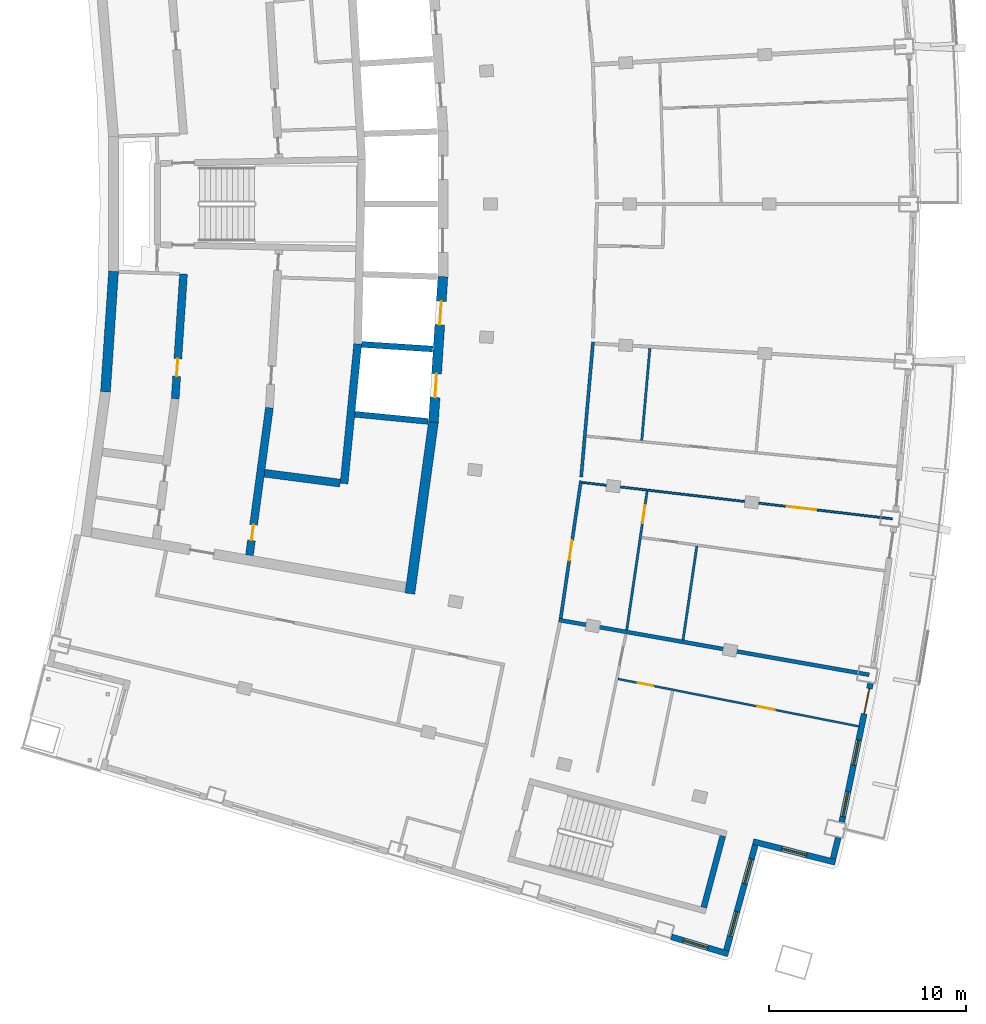
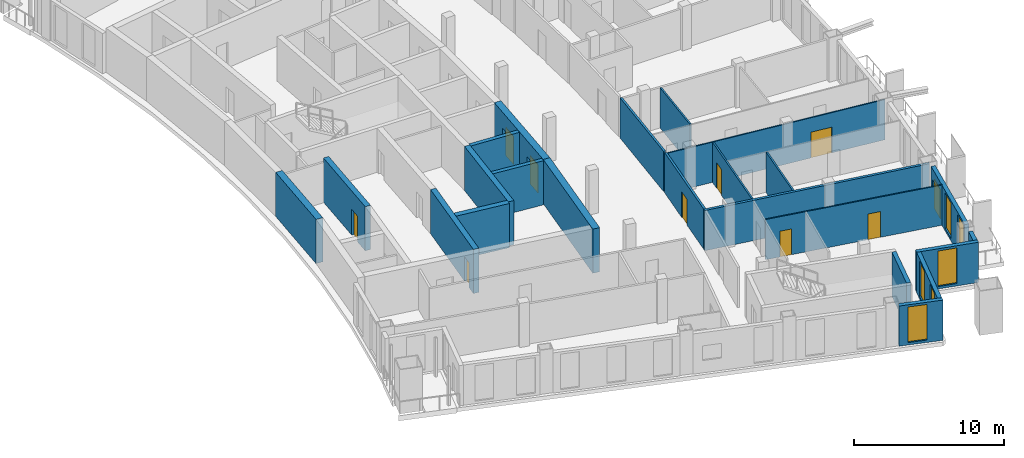
# One storey, part 8 of 15: 23 walls, 10 doors, 6 windows, 16 openings.
"""IFC4 building model written with IfcOpenShell, lengths in metres."""

from ifc_helpers import new_model, si_unit, direction, frame, frame_2d, origin, place, context, subcontext, project, spatial, rectangle, extrude, material, layer, layer_set, type_object, element, fill, save


model = new_model("IFC4")

# Units and contexts
model_context = context("Model", 3, precision=1e-05, world=origin(), true_north=direction((0.0, 1.0)))
body_context = subcontext(model_context, "Body", "Model", "MODEL_VIEW")
ifc_project = project(units=[si_unit("LENGTHUNIT", "METRE"), si_unit("AREAUNIT", "SQUARE_METRE"), si_unit("VOLUMEUNIT", "CUBIC_METRE"), si_unit("PLANEANGLEUNIT", "RADIAN"), si_unit("MASSUNIT", "GRAM", prefix="KILO")], contexts=[model_context])

# Site, building, storey
site_placement = place(None, origin())
site = spatial("IfcSite", under=ifc_project, at=site_placement, CompositionType="ELEMENT")
building_placement = place(site_placement, origin())
building = spatial("IfcBuilding", under=site, at=building_placement, Name="Alderwake Tower", CompositionType="ELEMENT")
storey_placement = place(building_placement, frame((0.0, 0.0, 249.199951171875)))
storey = spatial("IfcBuildingStorey", under=building, at=storey_placement, Name="L61", CompositionType="ELEMENT", Elevation=249.199951171875)

# Walls
ifc_material_1 = material(Name="Concrete C70/85", Category="concrete")
ifc_layer_1 = layer(ifc_material_1, 0.5)
ifc_layer_set_1 = layer_set([ifc_layer_1], Name="Core wall outer 500 C70-85")
wall_type_1 = type_object("IfcWallType", Name="Core wall outer 500 C70-85", PredefinedType="SHEAR", material=ifc_layer_set_1)
wall_1_placement = place(storey_placement, frame((16.280517578125, 51.4765625, 0.0), z_axis=(0.0, 0.0, 1.0), x_axis=(0.066863022947, 0.997762164127, 0.0)))
element("IfcWall", 1, at=wall_1_placement, inside=storey, type_object=wall_type_1, Name="Core wall CW.027", PredefinedType="SHEAR", context=body_context, shape_type="SweptSolid", body=[
    extrude(rectangle(XDim=6.123291015625, YDim=0.5, at=frame_2d((3.0615234375, 0.0))), origin(), (0.0, 0.0, 1.0), 3.60009765625),
])
wall_2_placement = place(storey_placement, frame((31.71728515625, 41.247314453125, 0.0), z_axis=(0.0, 0.0, 1.0), x_axis=(0.1358539401, 0.990728876615, 0.0)))
element("IfcWall", 2, at=wall_2_placement, inside=storey, type_object=wall_type_1, Name="Core wall CW.022", PredefinedType="SHEAR", context=body_context, shape_type="SweptSolid", body=[
    extrude(rectangle(XDim=8.794921875, YDim=0.5, at=frame_2d((4.3974609375, 0.0))), origin(), (0.0, 0.0, 1.0), 3.60009765625),
])

# Wall, openings, doors
wall_3_placement = place(storey_placement, frame((32.91015625, 49.942138671875, 0.0), z_axis=(0.0, 0.0, 1.0), x_axis=(0.064980500916, 0.997886533881, 0.0)))
wall_3 = element("IfcWall", 3, at=wall_3_placement, inside=storey, type_object=wall_type_1, Name="Core wall CW.021", PredefinedType="SHEAR", context=body_context, shape_type="SweptSolid", body=[
    extrude(rectangle(XDim=7.39404296875, YDim=0.5, at=frame_2d((3.697021484375, 0.0))), origin(), (0.0, 0.0, 1.0), 3.60009765625),
])
opening_1_placement = place(wall_3_placement, frame((1.253173828125, 0.0, 0.0)))
opening_1 = element("IfcOpeningElement", 4, at=opening_1_placement, cuts=wall_3, Name="Opening LD-HP1", PredefinedType="OPENING", context=body_context, shape_type="SweptSolid", body=[
    extrude(rectangle(XDim=1.199951171875, YDim=2.300048828125, at=frame_2d((0.60009765625, 1.14990234375))), frame((0.0, 0.260009765625, 0.0), z_axis=(0.0, -1.0, 0.0), x_axis=(1.0, 0.0, 0.0)), (0.0, 0.0, 1.0), 0.52001953125),
])
opening_2_placement = place(wall_3_placement, frame((4.941650390625, 0.0, 0.0)))
opening_2 = element("IfcOpeningElement", 5, at=opening_2_placement, cuts=wall_3, Name="Opening LD-HP2", PredefinedType="OPENING", context=body_context, shape_type="SweptSolid", body=[
    extrude(rectangle(XDim=1.199951171875, YDim=2.300048828125, at=frame_2d((0.60009765625, 1.14990234375))), frame((0.0, 0.260009765625, 0.0), z_axis=(0.0, -1.0, 0.0), x_axis=(1.0, 0.0, 0.0)), (0.0, 0.0, 1.0), 0.52001953125),
])
ifc_material_2 = material(Name="Stainless steel sliding leaf", Category="steel")
door_type_1 = type_object("IfcDoorType", Name="Lift landing door 1200", OperationType="SLIDING_TO_LEFT", PredefinedType="DOOR", material=ifc_material_2)
door_1_placement = place(opening_1_placement, origin())
door_1 = element("IfcDoor", 6, at=door_1_placement, inside=storey, type_object=door_type_1, Name="Lift landing door HP1", OperationType="SLIDING_TO_LEFT", OverallHeight=2.300048828125, OverallWidth=1.199951171875, PredefinedType="DOOR", context=body_context, shape_type="SweptSolid", body=[
    extrude(rectangle(XDim=1.199951171875, YDim=2.300048828125, at=frame_2d((0.60009765625, 1.14990234375))), frame((0.0, 0.02490234375, 0.0), z_axis=(0.0, -1.0, 0.0), x_axis=(1.0, 0.0, 0.0)), (0.0, 0.0, 1.0), 0.050048828125),
])
fill(opening_1, door_1)
door_2_placement = place(opening_2_placement, origin())
door_2 = element("IfcDoor", 7, at=door_2_placement, inside=storey, type_object=door_type_1, Name="Lift landing door HP2", OperationType="SLIDING_TO_LEFT", OverallHeight=2.300048828125, OverallWidth=1.199951171875, PredefinedType="DOOR", context=body_context, shape_type="SweptSolid", body=[
    extrude(rectangle(XDim=1.199951171875, YDim=2.300048828125, at=frame_2d((0.60009765625, 1.14990234375))), frame((0.0, 0.02490234375, 0.0), z_axis=(0.0, -1.0, 0.0), x_axis=(1.0, 0.0, 0.0)), (0.0, 0.0, 1.0), 0.050048828125),
])
fill(opening_2, door_2)

# Walls
ifc_material_3 = material(Name="Concrete C70/85", Category="concrete")
ifc_layer_2 = layer(ifc_material_3, 0.300048828125)
ifc_layer_set_2 = layer_set([ifc_layer_2], Name="Core wall shaft 300 C70-85")
wall_type_2 = type_object("IfcWallType", Name="Core wall shaft 300 C70-85", PredefinedType="SHEAR", material=ifc_layer_set_2)
wall_4_placement = place(storey_placement, frame((28.922119140625, 50.341796875, 0.0), z_axis=(0.0, 0.0, 1.0), x_axis=(0.995245719762, -0.097395879255, 0.0)))
element("IfcWall", 8, at=wall_4_placement, inside=storey, type_object=wall_type_2, Name="Core wall CW.064", PredefinedType="SHEAR", context=body_context, shape_type="SweptSolid", body=[
    extrude(rectangle(XDim=3.7275390625, YDim=0.300048828125, at=frame_2d((1.86376953125, 0.0))), origin(), (0.0, 0.0, 1.0), 3.60009765625),
])
wall_5_placement = place(storey_placement, frame((29.268798828125, 53.884521484375, 0.0), z_axis=(0.0, 0.0, 1.0), x_axis=(0.997885735437, -0.064992761217, 0.0)))
element("IfcWall", 9, at=wall_5_placement, inside=storey, type_object=wall_type_2, Name="Core wall CW.078", PredefinedType="SHEAR", context=body_context, shape_type="SweptSolid", body=[
    extrude(rectangle(XDim=3.60986328125, YDim=0.300048828125, at=frame_2d((1.804931640625, 0.0))), origin(), (0.0, 0.0, 1.0), 3.60009765625),
])

# Wall, opening, door
ifc_material_4 = material(Name="Concrete C70/85", Category="concrete")
ifc_layer_3 = layer(ifc_material_4, 0.39990234375)
ifc_layer_set_3 = layer_set([ifc_layer_3], Name="Core wall spine 400 C70-85")
wall_type_3 = type_object("IfcWallType", Name="Core wall spine 400 C70-85", PredefinedType="SHEAR", material=ifc_layer_set_3)
wall_6_placement = place(storey_placement, frame((20.2373046875, 57.451904296875, 0.0), z_axis=(0.0, 0.0, 1.0), x_axis=(-0.066884681503, -0.997760712486, 0.0)))
wall_6 = element("IfcWall", 10, at=wall_6_placement, inside=storey, type_object=wall_type_3, Name="Core wall CW.032", PredefinedType="SHEAR", context=body_context, shape_type="SweptSolid", body=[
    extrude(rectangle(XDim=6.336669921875, YDim=0.39990234375, at=frame_2d((3.16845703125, 0.0))), origin(), (0.0, 0.0, 1.0), 3.60009765625),
])
opening_3_placement = place(wall_6_placement, frame((4.29736328125, 0.0, 0.0)))
opening_3 = element("IfcOpeningElement", 11, at=opening_3_placement, cuts=wall_6, Name="Opening C037", PredefinedType="OPENING", context=body_context, shape_type="SweptSolid", body=[
    extrude(rectangle(XDim=0.89990234375, YDim=2.10009765625, at=frame_2d((0.449951171875, 1.050048828125))), frame((0.0, 0.2099609375, 0.0), z_axis=(0.0, -1.0, 0.0), x_axis=(1.0, 0.0, 0.0)), (0.0, 0.0, 1.0), 0.419921875),
])
ifc_material_5 = material(Name="Painted steel leaf", Category="steel")
door_type_2 = type_object("IfcDoorType", Name="Core room door 900", OperationType="SINGLE_SWING_LEFT", PredefinedType="DOOR", material=ifc_material_5)
door_3_placement = place(opening_3_placement, origin())
door_3 = element("IfcDoor", 12, at=door_3_placement, inside=storey, type_object=door_type_2, Name="Room door", OperationType="SINGLE_SWING_RIGHT", OverallHeight=2.10009765625, OverallWidth=0.89990234375, PredefinedType="DOOR", context=body_context, shape_type="SweptSolid", body=[
    extrude(rectangle(XDim=0.89990234375, YDim=2.10009765625, at=frame_2d((0.449951171875, 1.050048828125))), frame((0.0, 0.02490234375, 0.0), z_axis=(0.0, -1.0, 0.0), x_axis=(1.0, 0.0, 0.0)), (0.0, 0.0, 1.0), 0.050048828125),
])
fill(opening_3, door_3)

wall_7_placement = place(storey_placement, frame((23.58056640625, 43.19384765625, 0.0), z_axis=(0.0, 0.0, 1.0), x_axis=(0.133962545762, 0.990986395635, 0.0)))
wall_7 = element("IfcWall", 13, at=wall_7_placement, inside=storey, type_object=wall_type_3, Name="Core wall CW.047", PredefinedType="SHEAR", context=body_context, shape_type="SweptSolid", body=[
    extrude(rectangle(XDim=7.546875, YDim=0.39990234375, at=frame_2d((3.7734375, 0.0))), origin(), (0.0, 0.0, 1.0), 3.60009765625),
])
opening_4_placement = place(wall_7_placement, frame((0.7578125, 0.0, 0.0)))
opening_4 = element("IfcOpeningElement", 14, at=opening_4_placement, cuts=wall_7, Name="Opening C013", PredefinedType="OPENING", context=body_context, shape_type="SweptSolid", body=[
    extrude(rectangle(XDim=0.800048828125, YDim=2.0, at=frame_2d((0.39990234375, 1.0))), frame((0.0, 0.2099609375, 0.0), z_axis=(0.0, -1.0, 0.0), x_axis=(1.0, 0.0, 0.0)), (0.0, 0.0, 1.0), 0.419921875),
])
ifc_material_6 = material(Name="Painted steel leaf, rated", Category="steel")
door_type_3 = type_object("IfcDoorType", Name="Riser access door 800", OperationType="SINGLE_SWING_LEFT", PredefinedType="DOOR", material=ifc_material_6)
door_4_placement = place(opening_4_placement, origin())
door_4 = element("IfcDoor", 15, at=door_4_placement, inside=storey, type_object=door_type_3, Name="Riser access door", OperationType="SINGLE_SWING_LEFT", OverallHeight=2.0, OverallWidth=0.800048828125, PredefinedType="DOOR", context=body_context, shape_type="SweptSolid", body=[
    extrude(rectangle(XDim=0.800048828125, YDim=2.0, at=frame_2d((0.39990234375, 1.0))), frame((0.0, 0.02490234375, 0.0), z_axis=(0.0, -1.0, 0.0), x_axis=(1.0, 0.0, 0.0)), (0.0, 0.0, 1.0), 0.050048828125),
])
fill(opening_4, door_4)

# Walls
wall_8_placement = place(storey_placement, frame((28.376953125, 46.8251953125, 0.0), z_axis=(0.0, 0.0, 1.0), x_axis=(0.097393469943, 0.995245955537, 0.0)))
element("IfcWall", 16, at=wall_8_placement, inside=storey, type_object=wall_type_3, Name="Core wall CW.005", PredefinedType="SHEAR", context=body_context, shape_type="SweptSolid", body=[
    extrude(rectangle(XDim=7.1142578125, YDim=0.39990234375, at=frame_2d((3.55712890625, 0.0))), origin(), (0.0, 0.0, 1.0), 3.60009765625),
])
wall_9_placement = place(storey_placement, frame((24.344482421875, 47.3525390625, 0.0), z_axis=(0.0, 0.0, 1.0), x_axis=(0.991554578278, -0.12969008557, 0.0)))
element("IfcWall", 17, at=wall_9_placement, inside=storey, type_object=wall_type_3, Name="Core wall CW.069", PredefinedType="SHEAR", context=body_context, shape_type="SweptSolid", body=[
    extrude(rectangle(XDim=3.86669921875, YDim=0.39990234375, at=frame_2d((1.933349609375, 0.0))), origin(), (0.0, 0.0, 1.0), 3.60009765625),
])
ifc_material_7 = material(Name="Concrete C70/85", Category="concrete")
ifc_layer_4 = layer(ifc_material_7, 0.300048828125)
ifc_layer_set_4 = layer_set([ifc_layer_4], Name="Core wall stair enclosure 300 C70-85")
wall_type_4 = type_object("IfcWallType", Name="Core wall stair enclosure 300 C70-85", PredefinedType="SHEAR", material=ifc_layer_set_4)
wall_10_placement = place(storey_placement, frame((46.6162109375, 25.334716796875, 0.0), z_axis=(0.0, 0.0, 1.0), x_axis=(0.257366821694, 0.966313778796, 0.0)))
element("IfcWall", 18, at=wall_10_placement, inside=storey, type_object=wall_type_4, Name="Core wall CW.085", PredefinedType="SHEAR", context=body_context, shape_type="SweptSolid", body=[
    extrude(rectangle(XDim=3.749755859375, YDim=0.300048828125, at=frame_2d((1.875, 0.0))), origin(), (0.0, 0.0, 1.0), 3.60009765625),
])

# Wall, opening, door
ifc_material_8 = material(Name="Gypsum board on metal studs, rated")
ifc_layer_5 = layer(ifc_material_8, 0.159912109375)
ifc_layer_set_5 = layer_set([ifc_layer_5], Name="Corridor wall 160")
wall_type_5 = type_object("IfcWallType", Name="Corridor wall 160", PredefinedType="PARTITIONING", material=ifc_layer_set_5)
wall_11_placement = place(storey_placement, frame((40.388671875, 46.97216796875, 0.0), z_axis=(0.0, 0.0, 1.0), x_axis=(-0.145525888156, -0.989354444007, 0.0)))
wall_11 = element("IfcWall", 19, at=wall_11_placement, inside=storey, type_object=wall_type_5, Name="WL/L61/W19", PredefinedType="PARTITIONING", context=body_context, shape_type="SweptSolid", body=[
    extrude(rectangle(XDim=7.051025390625, YDim=0.159912109375, at=frame_2d((3.525390625, 0.0))), origin(), (0.0, 0.0, 1.0), 3.280029296875),
])
opening_5_placement = place(wall_11_placement, frame((3.066162109375, 0.0, 0.0)))
opening_5 = element("IfcOpeningElement", 20, at=opening_5_placement, cuts=wall_11, Name="Opening R17-U04.1", PredefinedType="OPENING", context=body_context, shape_type="SweptSolid", body=[
    extrude(rectangle(XDim=1.0, YDim=2.10009765625, at=frame_2d((0.5, 1.050048828125))), frame((0.0, 0.08984375, 0.0), z_axis=(0.0, -1.0, 0.0), x_axis=(1.0, 0.0, 0.0)), (0.0, 0.0, 1.0), 0.179931640625),
])
ifc_material_9 = material(Name="Solid timber leaf in steel frame", Category="steel")
door_type_4 = type_object("IfcDoorType", Name="Flat entrance door 1000 fire-rated", OperationType="SINGLE_SWING_LEFT", PredefinedType="DOOR", material=ifc_material_9)
door_5_placement = place(opening_5_placement, origin())
door_5 = element("IfcDoor", 21, at=door_5_placement, inside=storey, type_object=door_type_4, Name="DR/L61/U04.1", OperationType="SINGLE_SWING_LEFT", OverallHeight=2.10009765625, OverallWidth=1.0, PredefinedType="DOOR", context=body_context, shape_type="SweptSolid", body=[
    extrude(rectangle(XDim=1.0, YDim=2.10009765625, at=frame_2d((0.5, 1.050048828125))), frame((0.0, 0.02490234375, 0.0), z_axis=(0.0, -1.0, 0.0), x_axis=(1.0, 0.0, 0.0)), (0.0, 0.0, 1.0), 0.050048828125),
])
fill(opening_5, door_5)

# Walls
wall_12_placement = place(storey_placement, frame((40.400390625, 47.15869140625, 0.0), z_axis=(0.0, 0.0, 1.0), x_axis=(0.087419573149, 0.996171580718, 0.0)))
element("IfcWall", 22, at=wall_12_placement, inside=storey, type_object=wall_type_5, Name="WL/L61/W21", PredefinedType="PARTITIONING", context=body_context, shape_type="SweptSolid", body=[
    extrude(rectangle(XDim=6.88134765625, YDim=0.159912109375, at=frame_2d((3.440673828125, 0.0))), origin(), (0.0, 0.0, 1.0), 3.280029296875),
])
ifc_material_10 = material(Name="Precast concrete C50/60 spandrel panel", Category="concrete")
ifc_layer_6 = layer(ifc_material_10, 0.300048828125)
ifc_layer_set_6 = layer_set([ifc_layer_6], Name="External wall EW1 Precast concrete C50/60 spandrel")
wall_type_6 = type_object("IfcWallType", Name="External wall EW1 Precast concrete C50/60 spandrel", PredefinedType="SOLIDWALL", material=ifc_layer_set_6)
wall_13_placement = place(storey_placement, frame((53.1728515625, 27.806396484375, 0.0), z_axis=(0.0, 0.0, 1.0), x_axis=(0.238288905539, 0.971194315005, 0.0)))
element("IfcWall", 23, at=wall_13_placement, inside=storey, type_object=wall_type_6, Name="External wall 11", PredefinedType="SOLIDWALL", context=body_context, shape_type="SweptSolid", body=[
    extrude(rectangle(XDim=1.09619140625, YDim=0.300048828125, at=frame_2d((0.548095703125, 0.0))), origin(), (0.0, 0.0, 1.0), 3.280029296875),
])

# Wall, openings, door, windows
wall_14_placement = place(storey_placement, frame((53.6162109375, 29.677734375, 0.0), z_axis=(0.0, 0.0, 1.0), x_axis=(0.202732982931, 0.979234056614, 0.0)))
wall_14 = element("IfcWall", 24, at=wall_14_placement, inside=storey, type_object=wall_type_6, Name="External wall 12", PredefinedType="SOLIDWALL", context=body_context, shape_type="SweptSolid", body=[
    extrude(rectangle(XDim=7.16162109375, YDim=0.300048828125, at=frame_2d((3.580810546875, 0.0))), origin(), (0.0, 0.0, 1.0), 3.280029296875),
])
opening_6_placement = place(wall_14_placement, frame((0.267333984375, 0.0, 0.199951171875)))
opening_6 = element("IfcOpeningElement", 25, at=opening_6_placement, cuts=wall_14, Name="Opening W1", PredefinedType="OPENING", context=body_context, shape_type="SweptSolid", body=[
    extrude(rectangle(XDim=1.300048828125, YDim=2.89990234375, at=frame_2d((0.64990234375, 1.449951171875))), frame((0.0, 0.159912109375, 0.0), z_axis=(0.0, -1.0, 0.0), x_axis=(1.0, 0.0, 0.0)), (0.0, 0.0, 1.0), 0.320068359375),
])
opening_7_placement = place(wall_14_placement, frame((2.930908203125, 0.0, 0.199951171875)))
opening_7 = element("IfcOpeningElement", 26, at=opening_7_placement, cuts=wall_14, Name="Opening W1", PredefinedType="OPENING", context=body_context, shape_type="SweptSolid", body=[
    extrude(rectangle(XDim=1.300048828125, YDim=2.89990234375, at=frame_2d((0.64990234375, 1.449951171875))), frame((0.0, 0.159912109375, 0.0), z_axis=(0.0, -1.0, 0.0), x_axis=(1.0, 0.0, 0.0)), (0.0, 0.0, 1.0), 0.320068359375),
])
opening_8_placement = place(wall_14_placement, frame((5.594482421875, 0.0, 0.0)))
opening_8 = element("IfcOpeningElement", 27, at=opening_8_placement, cuts=wall_14, Name="Opening D02", PredefinedType="OPENING", context=body_context, shape_type="SweptSolid", body=[
    extrude(rectangle(XDim=1.300048828125, YDim=2.39990234375, at=frame_2d((0.64990234375, 1.199951171875))), frame((0.0, 0.159912109375, 0.0), z_axis=(0.0, -1.0, 0.0), x_axis=(1.0, 0.0, 0.0)), (0.0, 0.0, 1.0), 0.320068359375),
])
ifc_material_11 = material(Name="Bronze tinted glass in aluminium frame", Category="aluminium")
door_type_5 = type_object("IfcDoorType", Name="Balcony door BD sliding", OperationType="SLIDING_TO_LEFT", PredefinedType="DOOR", material=ifc_material_11)
door_6_placement = place(opening_8_placement, origin())
door_6 = element("IfcDoor", 28, at=door_6_placement, inside=storey, type_object=door_type_5, Name="Door D02", OperationType="SLIDING_TO_LEFT", OverallHeight=2.39990234375, OverallWidth=1.300048828125, PredefinedType="DOOR", context=body_context, shape_type="SweptSolid", body=[
    extrude(rectangle(XDim=1.300048828125, YDim=2.39990234375, at=frame_2d((0.64990234375, 1.199951171875))), frame((0.0, 0.02490234375, 0.0), z_axis=(0.0, -1.0, 0.0), x_axis=(1.0, 0.0, 0.0)), (0.0, 0.0, 1.0), 0.050048828125),
])
fill(opening_8, door_6)
ifc_material_12 = material(Name="Bronze tinted glass in aluminium frame", Category="aluminium")
window_type = type_object("IfcWindowType", Name="Window W1 tall fixed and vent", PartitioningType="DOUBLE_PANEL_VERTICAL", PredefinedType="WINDOW", material=ifc_material_12)
window_1_placement = place(opening_6_placement, origin())
window_1 = element("IfcWindow", 29, at=window_1_placement, inside=storey, type_object=window_type, Name="Window W1 tall fixed and vent", OverallHeight=2.89990234375, OverallWidth=1.300048828125, PartitioningType="DOUBLE_PANEL_VERTICAL", PredefinedType="WINDOW", context=body_context, shape_type="SweptSolid", body=[
    extrude(rectangle(XDim=1.300048828125, YDim=2.89990234375, at=frame_2d((0.64990234375, 1.449951171875))), frame((0.0, 0.030029296875, 0.0), z_axis=(0.0, -1.0, 0.0), x_axis=(1.0, 0.0, 0.0)), (0.0, 0.0, 1.0), 0.06005859375),
])
fill(opening_6, window_1)
window_2_placement = place(opening_7_placement, origin())
window_2 = element("IfcWindow", 30, at=window_2_placement, inside=storey, type_object=window_type, Name="Window W1 tall fixed and vent", OverallHeight=2.89990234375, OverallWidth=1.300048828125, PartitioningType="DOUBLE_PANEL_VERTICAL", PredefinedType="WINDOW", context=body_context, shape_type="SweptSolid", body=[
    extrude(rectangle(XDim=1.300048828125, YDim=2.89990234375, at=frame_2d((0.64990234375, 1.449951171875))), frame((0.0, 0.030029296875, 0.0), z_axis=(0.0, -1.0, 0.0), x_axis=(1.0, 0.0, 0.0)), (0.0, 0.0, 1.0), 0.06005859375),
])
fill(opening_7, window_2)

# Wall, opening, window
ifc_material_13 = material(Name="Bronze metal cladding on lightweight framing")
ifc_layer_7 = layer(ifc_material_13, 0.300048828125)
ifc_layer_set_7 = layer_set([ifc_layer_7], Name="External wall EW2 bronze metal cladding")
wall_type_7 = type_object("IfcWallType", Name="External wall EW2 bronze metal cladding", PredefinedType="SOLIDWALL", material=ifc_layer_set_7)
wall_15_placement = place(storey_placement, frame((44.9775390625, 23.843505859375, 0.0), z_axis=(0.0, 0.0, 1.0), x_axis=(0.957781669683, -0.287496562101, 0.0)))
wall_15 = element("IfcWall", 31, at=wall_15_placement, inside=storey, type_object=wall_type_7, Name="External wall 8", PredefinedType="SOLIDWALL", context=body_context, shape_type="SweptSolid", body=[
    extrude(rectangle(XDim=3.012939453125, YDim=0.300048828125, at=frame_2d((1.50634765625, 0.0))), origin(), (0.0, 0.0, 1.0), 3.280029296875),
])
opening_9_placement = place(wall_15_placement, frame((0.630859375, 0.0, 0.199951171875)))
opening_9 = element("IfcOpeningElement", 32, at=opening_9_placement, cuts=wall_15, Name="Opening W1", PredefinedType="OPENING", context=body_context, shape_type="SweptSolid", body=[
    extrude(rectangle(XDim=1.300048828125, YDim=2.89990234375, at=frame_2d((0.64990234375, 1.449951171875))), frame((0.0, 0.159912109375, 0.0), z_axis=(0.0, -1.0, 0.0), x_axis=(1.0, 0.0, 0.0)), (0.0, 0.0, 1.0), 0.320068359375),
])
window_3_placement = place(opening_9_placement, origin())
window_3 = element("IfcWindow", 33, at=window_3_placement, inside=storey, type_object=window_type, Name="Window W1 tall fixed and vent", OverallHeight=2.89990234375, OverallWidth=1.300048828125, PartitioningType="DOUBLE_PANEL_VERTICAL", PredefinedType="WINDOW", context=body_context, shape_type="SweptSolid", body=[
    extrude(rectangle(XDim=1.300048828125, YDim=2.89990234375, at=frame_2d((0.64990234375, 1.449951171875))), frame((0.0, 0.030029296875, 0.0), z_axis=(0.0, -1.0, 0.0), x_axis=(1.0, 0.0, 0.0)), (0.0, 0.0, 1.0), 0.06005859375),
])
fill(opening_9, window_3)

# Wall, openings, windows
wall_16_placement = place(storey_placement, frame((47.759521484375, 23.164794921875, 0.0), z_axis=(0.0, 0.0, 1.0), x_axis=(0.265055910213, 0.964233044684, 0.0)))
wall_16 = element("IfcWall", 34, at=wall_16_placement, inside=storey, type_object=wall_type_7, Name="External wall 9", PredefinedType="SOLIDWALL", context=body_context, shape_type="SweptSolid", body=[
    extrude(rectangle(XDim=5.529296875, YDim=0.300048828125, at=frame_2d((2.7646484375, 0.0))), origin(), (0.0, 0.0, 1.0), 3.280029296875),
])
opening_10_placement = place(wall_16_placement, frame((0.732421875, 0.0, 0.199951171875)))
opening_10 = element("IfcOpeningElement", 35, at=opening_10_placement, cuts=wall_16, Name="Opening W1", PredefinedType="OPENING", context=body_context, shape_type="SweptSolid", body=[
    extrude(rectangle(XDim=1.300048828125, YDim=2.89990234375, at=frame_2d((0.64990234375, 1.449951171875))), frame((0.0, 0.159912109375, 0.0), z_axis=(0.0, -1.0, 0.0), x_axis=(1.0, 0.0, 0.0)), (0.0, 0.0, 1.0), 0.320068359375),
])
opening_11_placement = place(wall_16_placement, frame((3.496826171875, 0.0, 0.199951171875)))
opening_11 = element("IfcOpeningElement", 36, at=opening_11_placement, cuts=wall_16, Name="Opening W1", PredefinedType="OPENING", context=body_context, shape_type="SweptSolid", body=[
    extrude(rectangle(XDim=1.300048828125, YDim=2.89990234375, at=frame_2d((0.64990234375, 1.449951171875))), frame((0.0, 0.159912109375, 0.0), z_axis=(0.0, -1.0, 0.0), x_axis=(1.0, 0.0, 0.0)), (0.0, 0.0, 1.0), 0.320068359375),
])
window_4_placement = place(opening_10_placement, origin())
window_4 = element("IfcWindow", 37, at=window_4_placement, inside=storey, type_object=window_type, Name="Window W1 tall fixed and vent", OverallHeight=2.89990234375, OverallWidth=1.300048828125, PartitioningType="DOUBLE_PANEL_VERTICAL", PredefinedType="WINDOW", context=body_context, shape_type="SweptSolid", body=[
    extrude(rectangle(XDim=1.300048828125, YDim=2.89990234375, at=frame_2d((0.64990234375, 1.449951171875))), frame((0.0, 0.030029296875, 0.0), z_axis=(0.0, -1.0, 0.0), x_axis=(1.0, 0.0, 0.0)), (0.0, 0.0, 1.0), 0.06005859375),
])
fill(opening_10, window_4)
window_5_placement = place(opening_11_placement, origin())
window_5 = element("IfcWindow", 38, at=window_5_placement, inside=storey, type_object=window_type, Name="Window W1 tall fixed and vent", OverallHeight=2.89990234375, OverallWidth=1.300048828125, PartitioningType="DOUBLE_PANEL_VERTICAL", PredefinedType="WINDOW", context=body_context, shape_type="SweptSolid", body=[
    extrude(rectangle(XDim=1.300048828125, YDim=2.89990234375, at=frame_2d((0.64990234375, 1.449951171875))), frame((0.0, 0.030029296875, 0.0), z_axis=(0.0, -1.0, 0.0), x_axis=(1.0, 0.0, 0.0)), (0.0, 0.0, 1.0), 0.06005859375),
])
fill(opening_11, window_5)

# Wall, opening, window
wall_17_placement = place(storey_placement, frame((49.11962890625, 28.677734375, 0.0), z_axis=(0.0, 0.0, 1.0), x_axis=(0.969425962264, -0.245383992325, 0.0)))
wall_17 = element("IfcWall", 39, at=wall_17_placement, inside=storey, type_object=wall_type_7, Name="External wall 10", PredefinedType="SOLIDWALL", context=body_context, shape_type="SweptSolid", body=[
    extrude(rectangle(XDim=4.294189453125, YDim=0.300048828125, at=frame_2d((2.14697265625, 0.0))), origin(), (0.0, 0.0, 1.0), 3.280029296875),
])
opening_12_placement = place(wall_17_placement, frame((1.4970703125, 0.0, 0.199951171875)))
opening_12 = element("IfcOpeningElement", 40, at=opening_12_placement, cuts=wall_17, Name="Opening W1", PredefinedType="OPENING", context=body_context, shape_type="SweptSolid", body=[
    extrude(rectangle(XDim=1.300048828125, YDim=2.89990234375, at=frame_2d((0.64990234375, 1.449951171875))), frame((0.0, 0.159912109375, 0.0), z_axis=(0.0, -1.0, 0.0), x_axis=(1.0, 0.0, 0.0)), (0.0, 0.0, 1.0), 0.320068359375),
])
window_6_placement = place(opening_12_placement, origin())
window_6 = element("IfcWindow", 41, at=window_6_placement, inside=storey, type_object=window_type, Name="Window W1 tall fixed and vent", OverallHeight=2.89990234375, OverallWidth=1.300048828125, PartitioningType="DOUBLE_PANEL_VERTICAL", PredefinedType="WINDOW", context=body_context, shape_type="SweptSolid", body=[
    extrude(rectangle(XDim=1.300048828125, YDim=2.89990234375, at=frame_2d((0.64990234375, 1.449951171875))), frame((0.0, 0.030029296875, 0.0), z_axis=(0.0, -1.0, 0.0), x_axis=(1.0, 0.0, 0.0)), (0.0, 0.0, 1.0), 0.06005859375),
])
fill(opening_12, window_6)

# Wall
ifc_material_14 = material(Name="Dense block masonry wall", Category="masonry")
ifc_layer_8 = layer(ifc_material_14, 0.199951171875)
ifc_layer_set_8 = layer_set([ifc_layer_8], Name="Party wall 200")
wall_type_8 = type_object("IfcWallType", Name="Party wall 200", PredefinedType="SOLIDWALL", material=ifc_layer_set_8)
wall_18_placement = place(storey_placement, frame((55.0048828125, 37.131103515625, 0.0), z_axis=(0.0, 0.0, 1.0), x_axis=(-0.984752319184, 0.173962265624, 0.0)))
element("IfcWall", 42, at=wall_18_placement, inside=storey, type_object=wall_type_8, Name="WL/L61/W02", PredefinedType="SOLIDWALL", context=body_context, shape_type="SweptSolid", body=[
    extrude(rectangle(XDim=15.979248046875, YDim=0.199951171875, at=frame_2d((7.98974609375, 0.0))), origin(), (0.0, 0.0, 1.0), 3.280029296875),
])

# Wall, opening, door
ifc_material_15 = material(Name="Gypsum board on metal studs")
ifc_layer_9 = layer(ifc_material_15, 0.10009765625)
ifc_layer_set_9 = layer_set([ifc_layer_9], Name="Unit partition 100")
wall_type_9 = type_object("IfcWallType", Name="Unit partition 100", PredefinedType="PARTITIONING", material=ifc_layer_set_9)
wall_19_placement = place(storey_placement, frame((40.45654296875, 46.8837890625, 0.0), z_axis=(0.0, 0.0, 1.0), x_axis=(0.993199815396, -0.116422191605, 0.0)))
wall_19 = element("IfcWall", 43, at=wall_19_placement, inside=storey, type_object=wall_type_9, Name="WL/L61/W46", PredefinedType="PARTITIONING", context=body_context, shape_type="SweptSolid", body=[
    extrude(rectangle(XDim=15.820068359375, YDim=0.10009765625, at=frame_2d((7.91015625, 0.0))), origin(), (0.0, 0.0, 1.0), 3.280029296875),
])
opening_13_placement = place(wall_19_placement, frame((10.43310546875, 0.0, 0.0)))
opening_13 = element("IfcOpeningElement", 44, at=opening_13_placement, cuts=wall_19, Name="Opening R17-U04.8", PredefinedType="OPENING", context=body_context, shape_type="SweptSolid", body=[
    extrude(rectangle(XDim=1.5, YDim=2.10009765625, at=frame_2d((0.75, 1.050048828125))), frame((0.0, 0.06005859375, 0.0), z_axis=(0.0, -1.0, 0.0), x_axis=(1.0, 0.0, 0.0)), (0.0, 0.0, 1.0), 0.1201171875),
])
ifc_material_16 = material(Name="Painted timber leaves", Category="wood")
door_type_6 = type_object("IfcDoorType", Name="Double leaf door 1500", OperationType="DOUBLE_DOOR_SINGLE_SWING", PredefinedType="DOOR", material=ifc_material_16)
door_7_placement = place(opening_13_placement, origin())
door_7 = element("IfcDoor", 45, at=door_7_placement, inside=storey, type_object=door_type_6, Name="DR/L61/U04.8", OperationType="DOUBLE_DOOR_SINGLE_SWING", OverallHeight=2.10009765625, OverallWidth=1.5, PredefinedType="DOOR", context=body_context, shape_type="SweptSolid", body=[
    extrude(rectangle(XDim=1.5, YDim=2.10009765625, at=frame_2d((0.75, 1.050048828125))), frame((0.0, 0.02490234375, 0.0), z_axis=(0.0, -1.0, 0.0), x_axis=(1.0, 0.0, 0.0)), (0.0, 0.0, 1.0), 0.050048828125),
])
fill(opening_13, door_7)

# Wall, openings, doors
wall_20_placement = place(storey_placement, frame((54.512939453125, 34.509033203125, 0.0), z_axis=(0.0, 0.0, 1.0), x_axis=(-0.981147486364, 0.193260471907, 0.0)))
wall_20 = element("IfcWall", 46, at=wall_20_placement, inside=storey, type_object=wall_type_9, Name="WL/L61/W48", PredefinedType="PARTITIONING", context=body_context, shape_type="SweptSolid", body=[
    extrude(rectangle(XDim=12.482421875, YDim=0.10009765625, at=frame_2d((6.2412109375, 0.0))), origin(), (0.0, 0.0, 1.0), 3.280029296875),
])
opening_14_placement = place(wall_20_placement, frame((10.663818359375, 0.0, 0.0)))
opening_14 = element("IfcOpeningElement", 47, at=opening_14_placement, cuts=wall_20, Name="Opening R17-U03.3", PredefinedType="OPENING", context=body_context, shape_type="SweptSolid", body=[
    extrude(rectangle(XDim=0.800048828125, YDim=2.10009765625, at=frame_2d((0.39990234375, 1.050048828125))), frame((0.0, 0.06005859375, 0.0), z_axis=(0.0, -1.0, 0.0), x_axis=(1.0, 0.0, 0.0)), (0.0, 0.0, 1.0), 0.1201171875),
])
opening_15_placement = place(wall_20_placement, frame((4.37255859375, 0.0, 0.0)))
opening_15 = element("IfcOpeningElement", 48, at=opening_15_placement, cuts=wall_20, Name="Opening R17-U03.4", PredefinedType="OPENING", context=body_context, shape_type="SweptSolid", body=[
    extrude(rectangle(XDim=0.89990234375, YDim=2.10009765625, at=frame_2d((0.449951171875, 1.050048828125))), frame((0.0, 0.06005859375, 0.0), z_axis=(0.0, -1.0, 0.0), x_axis=(1.0, 0.0, 0.0)), (0.0, 0.0, 1.0), 0.1201171875),
])
ifc_material_17 = material(Name="Painted timber leaf", Category="wood")
door_type_7 = type_object("IfcDoorType", Name="Bathroom door 800", OperationType="SINGLE_SWING_LEFT", PredefinedType="DOOR", material=ifc_material_17)
door_8_placement = place(opening_14_placement, origin())
door_8 = element("IfcDoor", 49, at=door_8_placement, inside=storey, type_object=door_type_7, Name="DR/L61/U03.3", OperationType="SINGLE_SWING_LEFT", OverallHeight=2.10009765625, OverallWidth=0.800048828125, PredefinedType="DOOR", context=body_context, shape_type="SweptSolid", body=[
    extrude(rectangle(XDim=0.800048828125, YDim=2.10009765625, at=frame_2d((0.39990234375, 1.050048828125))), frame((0.0, 0.02490234375, 0.0), z_axis=(0.0, -1.0, 0.0), x_axis=(1.0, 0.0, 0.0)), (0.0, 0.0, 1.0), 0.050048828125),
])
fill(opening_14, door_8)
ifc_material_18 = material(Name="Painted timber leaf", Category="wood")
door_type_8 = type_object("IfcDoorType", Name="Room door 900", OperationType="SINGLE_SWING_LEFT", PredefinedType="DOOR", material=ifc_material_18)
door_9_placement = place(opening_15_placement, origin())
door_9 = element("IfcDoor", 50, at=door_9_placement, inside=storey, type_object=door_type_8, Name="DR/L61/U03.4", OperationType="SINGLE_SWING_LEFT", OverallHeight=2.10009765625, OverallWidth=0.89990234375, PredefinedType="DOOR", context=body_context, shape_type="SweptSolid", body=[
    extrude(rectangle(XDim=0.89990234375, YDim=2.10009765625, at=frame_2d((0.449951171875, 1.050048828125))), frame((0.0, 0.02490234375, 0.0), z_axis=(0.0, -1.0, 0.0), x_axis=(1.0, 0.0, 0.0)), (0.0, 0.0, 1.0), 0.050048828125),
])
fill(opening_15, door_9)

# Wall, opening, door
ifc_material_19 = material(Name="Moisture resistant gypsum board on metal studs")
ifc_layer_10 = layer(ifc_material_19, 0.1201171875)
ifc_layer_set_10 = layer_set([ifc_layer_10], Name="Wet room partition 120")
wall_type_10 = type_object("IfcWallType", Name="Wet room partition 120", PredefinedType="PARTITIONING", material=ifc_layer_set_10)
wall_21_placement = place(storey_placement, frame((43.74462890625, 46.447509765625, 0.0), z_axis=(0.0, 0.0, 1.0), x_axis=(-0.145290574876, -0.989389028063, 0.0)))
wall_21 = element("IfcWall", 51, at=wall_21_placement, inside=storey, type_object=wall_type_10, Name="WL/L61/W35", PredefinedType="PARTITIONING", context=body_context, shape_type="SweptSolid", body=[
    extrude(rectangle(XDim=7.117919921875, YDim=0.1201171875, at=frame_2d((3.55908203125, 0.0))), origin(), (0.0, 0.0, 1.0), 3.280029296875),
])
opening_16_placement = place(wall_21_placement, frame((0.736572265625, 0.0, 0.0)))
opening_16 = element("IfcOpeningElement", 52, at=opening_16_placement, cuts=wall_21, Name="Opening R17-U04.2", PredefinedType="OPENING", context=body_context, shape_type="SweptSolid", body=[
    extrude(rectangle(XDim=0.89990234375, YDim=2.10009765625, at=frame_2d((0.449951171875, 1.050048828125))), frame((0.0, 0.070068359375, 0.0), z_axis=(0.0, -1.0, 0.0), x_axis=(1.0, 0.0, 0.0)), (0.0, 0.0, 1.0), 0.14013671875),
])
door_10_placement = place(opening_16_placement, origin())
door_10 = element("IfcDoor", 53, at=door_10_placement, inside=storey, type_object=door_type_8, Name="DR/L61/U04.2", OperationType="SINGLE_SWING_LEFT", OverallHeight=2.10009765625, OverallWidth=0.89990234375, PredefinedType="DOOR", context=body_context, shape_type="SweptSolid", body=[
    extrude(rectangle(XDim=0.89990234375, YDim=2.10009765625, at=frame_2d((0.449951171875, 1.050048828125))), frame((0.0, 0.02490234375, 0.0), z_axis=(0.0, -1.0, 0.0), x_axis=(1.0, 0.0, 0.0)), (0.0, 0.0, 1.0), 0.050048828125),
])
fill(opening_16, door_10)

# Walls
wall_22_placement = place(storey_placement, frame((43.471435546875, 49.0068359375, 0.0), z_axis=(0.0, 0.0, 1.0), x_axis=(0.087625335485, 0.996153502519, 0.0)))
element("IfcWall", 54, at=wall_22_placement, inside=storey, type_object=wall_type_10, Name="WL/L61/W37", PredefinedType="PARTITIONING", context=body_context, shape_type="SweptSolid", body=[
    extrude(rectangle(XDim=4.697509765625, YDim=0.1201171875, at=frame_2d((2.3486328125, 0.0))), origin(), (0.0, 0.0, 1.0), 3.280029296875),
])
wall_23_placement = place(storey_placement, frame((45.56640625, 38.90087890625, 0.0), z_axis=(0.0, 0.0, 1.0), x_axis=(0.145238137818, 0.989396726962, 0.0)))
element("IfcWall", 55, at=wall_23_placement, inside=storey, type_object=wall_type_10, Name="WL/L61/W41", PredefinedType="PARTITIONING", context=body_context, shape_type="SweptSolid", body=[
    extrude(rectangle(XDim=4.8076171875, YDim=0.1201171875, at=frame_2d((2.40380859375, 0.0))), origin(), (0.0, 0.0, 1.0), 3.280029296875),
])

save(model, "model.ifc")
